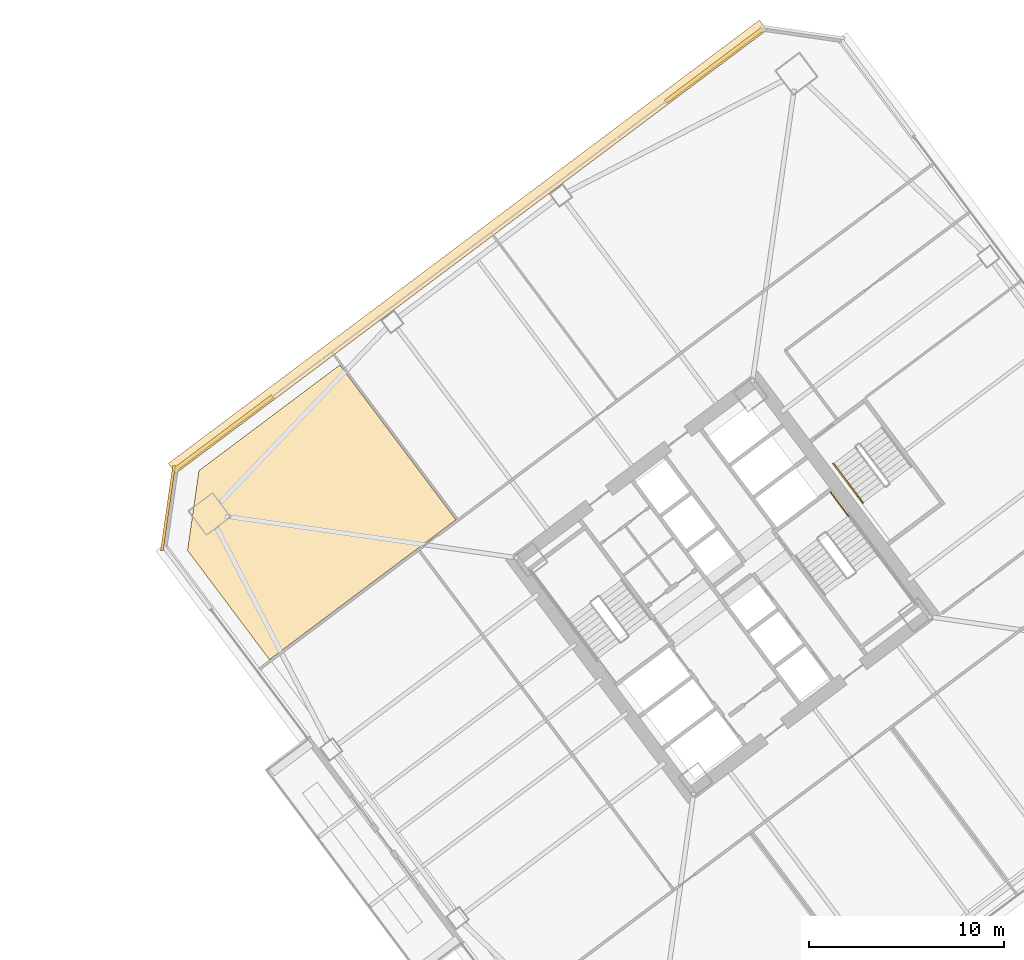
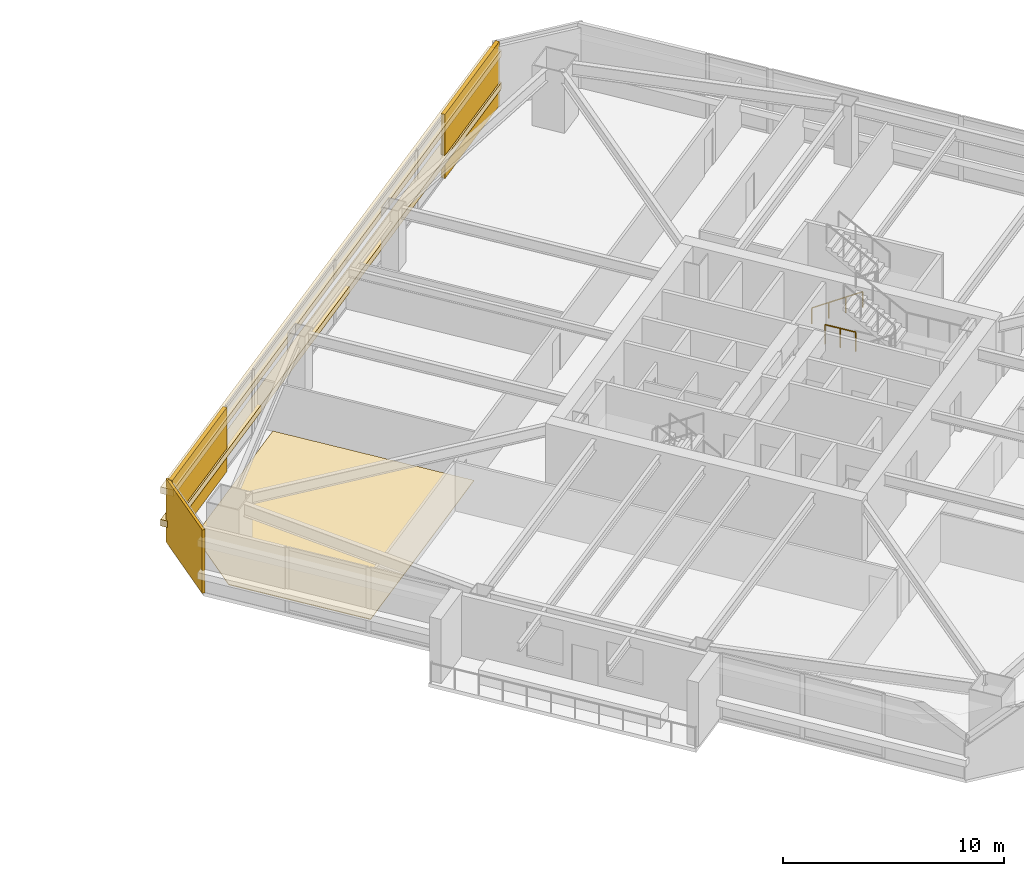
# One storey, part 45 of 46: 6 coverings, 2 railings.
"""IFC4 building model written with IfcOpenShell, lengths in metres."""

from ifc_helpers import new_model, si_unit, direction, frame, origin, origin_2d, place, context, subcontext, project, spatial, polyline, rectangle, outline, extrude, material, layer, layer_set, type_object, element, save


model = new_model("IFC4")

# Units and contexts
model_context = context("Model", 3, precision=1e-05, world=origin(), true_north=direction((0.0, 1.0)))
body_context = subcontext(model_context, "Body", "Model", "MODEL_VIEW")
ifc_project = project(units=[si_unit("LENGTHUNIT", "METRE"), si_unit("AREAUNIT", "SQUARE_METRE"), si_unit("VOLUMEUNIT", "CUBIC_METRE"), si_unit("PLANEANGLEUNIT", "RADIAN"), si_unit("MASSUNIT", "GRAM", prefix="KILO")], contexts=[model_context])

# Site, building, storey
site_placement = place(None, origin())
site = spatial("IfcSite", under=ifc_project, at=site_placement, CompositionType="ELEMENT")
building_placement = place(site_placement, origin())
building = spatial("IfcBuilding", under=site, at=building_placement, Name="Tashvorn Skyway Center", CompositionType="ELEMENT")
storey_placement = place(building_placement, frame((0.0, 0.0, 60.10009765625)))
storey = spatial("IfcBuildingStorey", under=building, at=storey_placement, Name="L15", CompositionType="ELEMENT", Elevation=60.10009765625)

# Coverings
ifc_material_1 = material(Name="Precast concrete C40/50", Category="concrete")
ifc_layer_1 = layer(ifc_material_1, 0.199951171875)
ifc_layer_set_1 = layer_set([ifc_layer_1], Name="Precast concrete C40/50")
covering_type_1 = type_object("IfcCoveringType", Name="COV-BRACE-CLAD", PredefinedType="CLADDING", material=ifc_layer_set_1)
for number, where, z_axis, x_axis, name in (
    (1, (88.4052734375, 39.904052734375, 0.0), (0.0, 0.0, 1.0), (0.799999996291, 0.600000004945, 0.0), "Tower 2 L15 North Unitised Curtain Wall Mega-Brace Cladding Band 1"),
    (2, (113.57861328125, 58.783935546875, 0.0), (0.0, 0.0, 1.0), (0.799999996291, 0.600000004945, 0.0), "Tower 2 L15 North Unitised Curtain Wall Mega-Brace Cladding Band 2"),
):
    element("IfcCovering", number, at=place(storey_placement, frame(where, z_axis=z_axis, x_axis=x_axis)), inside=storey, type_object=covering_type_1, Name=name, PredefinedType="CLADDING", context=body_context, shape_type="SweptSolid", body=[
        extrude(rectangle(XDim=6.29345703125, YDim=0.199951171875, at=origin_2d()), origin(), (0.0, 0.0, 1.0), 3.550048828125),
    ])
ifc_material_2 = material(Name="Polished Mojave desert-aggregate terrazzo and cover plate")
ifc_layer_2 = layer(ifc_material_2, 0.0400390625)
ifc_layer_set_2 = layer_set([ifc_layer_2], Name="Polished Mojave desert-aggregate terrazzo and cover plate")
covering_type_2 = type_object("IfcCoveringType", Name="COV-FLR-40", PredefinedType="FLOORING", material=ifc_layer_set_2)
covering_1_placement = place(storey_placement, origin())
element("IfcCovering", 3, at=covering_1_placement, inside=storey, type_object=covering_type_2, Name="Tower 2 L15 Executive Suite Finish Flooring", PredefinedType="FLOORING", context=body_context, shape_type="SweptSolid", body=[
    extrude(outline(polyline([(100.30810546875, 35.4560546875), (90.756103515625, 28.2919921875), (86.555908203125, 33.89208984375), (87.139892578125, 37.97998046875), (94.35595703125, 43.39208984375), (100.30810546875, 35.4560546875)])), origin(), (0.0, 0.0, 1.0), 0.039794921875),
])
ifc_material_3 = material(Name="Perforated ceramic-coated bronze aluminium solar screen", Category="aluminium")
ifc_layer_3 = layer(ifc_material_3, 0.85009765625)
ifc_layer_set_3 = layer_set([ifc_layer_3], Name="Perforated ceramic-coated bronze aluminium solar screen")
covering_type_3 = type_object("IfcCoveringType", Name="COV-SOLAR-BAND", PredefinedType="CLADDING", material=ifc_layer_set_3)
for number, where, z_axis, x_axis, name in (
    (4, (100.907958984375, 49.4560546875, 0.919921875), (0.0, 0.0, 1.0), (0.799999996291, 0.600000004945, 0.0), "L15 Perforated Ceramic-Metal Solar Screen Louvre Band North 1"),
    (5, (100.907958984375, 49.4560546875, 2.7197265625), (0.0, 0.0, 1.0), (0.799999996291, 0.600000004945, 0.0), "L15 Perforated Ceramic-Metal Solar Screen Louvre Band North 2"),
):
    element("IfcCovering", number, at=place(storey_placement, frame(where, z_axis=z_axis, x_axis=x_axis)), inside=storey, type_object=covering_type_3, Name=name, PredefinedType="CLADDING", context=body_context, shape_type="SweptSolid", body=[
        extrude(rectangle(XDim=37.8798828125, YDim=0.639892578125, at=origin_2d()), origin(), (0.0, 0.0, 1.0), 0.360107421875),
    ])
ifc_layer_4 = layer(ifc_material_1, 0.35009765625)
ifc_layer_set_4 = layer_set([ifc_layer_4], Name="Precast concrete C40/50")
covering_type_4 = type_object("IfcCoveringType", Name="COV-STONE-TRIM", PredefinedType="CLADDING", material=ifc_layer_set_4)
covering_2_placement = place(storey_placement, frame((85.552001953125, 36.06396484375, 0.02001953125), z_axis=(0.0, 0.0, 1.0), x_axis=(-0.141421350118, -0.989949494535, 0.0)))
element("IfcCovering", 6, at=covering_2_placement, inside=storey, type_object=covering_type_4, Name="Tower 2 L15 NW Mojave Limestone Corner Quoin", PredefinedType="CLADDING", context=body_context, shape_type="SweptSolid", body=[
    extrude(rectangle(XDim=4.402587890625, YDim=0.139892578125, at=origin_2d()), origin(), (0.0, 0.0, 1.0), 3.510009765625),
])

# Railings
ifc_material_4 = material(Name="Brushed stainless steel 316", Category="steel")
railing_type_1 = type_object("IfcRailingType", Name="RAIL-HAND-920", PredefinedType="HANDRAIL", material=ifc_material_4)
railing_1_placement = place(storey_placement, frame((119.656005859375, 38.342041015625, 0.177490234375)))
element("IfcRailing", 7, at=railing_1_placement, inside=storey, type_object=railing_type_1, Name="L15 ST-T2-3 stair handrail 1", PredefinedType="HANDRAIL", context=body_context, shape_type="SweptSolid", body=[
    extrude(rectangle(XDim=0.048095703125, YDim=0.048095703125, at=origin_2d()), frame((0.0, 0.0, 0.8759765625), z_axis=(0.506740800098, -0.675708949977, 0.535379469569), x_axis=(0.800023250257, 0.599968998406, 0.0)), (0.0, 0.0, 1.0), 2.983642578125),
    extrude(rectangle(XDim=0.0419921875, YDim=0.0419921875, at=origin_2d()), origin(), (0.0, 0.0, 1.0), 0.851806640625),
    extrude(rectangle(XDim=0.0419921875, YDim=0.0419921875, at=origin_2d()), frame((0.50390625, -0.672119140625, 0.532470703125)), (0.0, 0.0, 1.0), 0.851806640625),
    extrude(rectangle(XDim=0.0419921875, YDim=0.0419921875, at=origin_2d()), frame((1.008056640625, -1.343994140625, 1.06494140625)), (0.0, 0.0, 1.0), 0.851806640625),
    extrude(rectangle(XDim=0.0419921875, YDim=0.0419921875, at=origin_2d()), frame((1.511962890625, -2.01611328125, 1.597412109375)), (0.0, 0.0, 1.0), 0.851806640625),
])
ifc_material_5 = material(Name="Painted galvanized steel S355", Category="steel")
railing_type_2 = type_object("IfcRailingType", Name="RAIL-STGUARD-1100", PredefinedType="GUARDRAIL", material=ifc_material_5)
railing_2_placement = place(storey_placement, frame((119.50390625, 36.8779296875, 0.0)))
element("IfcRailing", 8, at=railing_2_placement, inside=storey, type_object=railing_type_2, Name="L15 ST-T2-2 stair guard 6", PredefinedType="GUARDRAIL", context=body_context, shape_type="SweptSolid", body=[
    extrude(rectangle(XDim=0.048095703125, YDim=0.048095703125, at=origin_2d()), frame((0.0, 0.0, 1.076171875), z_axis=(0.600102796382, -0.799922892393, 0.0), x_axis=(0.799922892393, 0.600102796382, 0.0)), (0.0, 0.0, 1.0), 1.52001953125),
    extrude(rectangle(XDim=0.0419921875, YDim=0.0419921875, at=origin_2d()), origin(), (0.0, 0.0, 1.0), 1.052001953125),
    extrude(rectangle(XDim=0.0419921875, YDim=0.0419921875, at=origin_2d()), frame((0.4560546875, -0.60791015625, 0.0)), (0.0, 0.0, 1.0), 1.052001953125),
    extrude(rectangle(XDim=0.0419921875, YDim=0.0419921875, at=origin_2d()), frame((0.912109375, -1.2158203125, 0.0)), (0.0, 0.0, 1.0), 1.052001953125),
])

save(model, "model.ifc")
